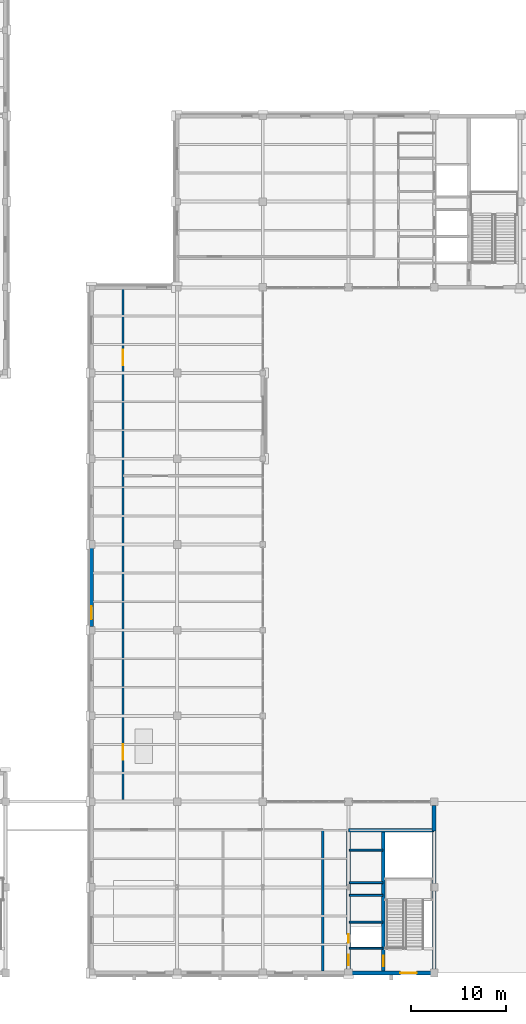
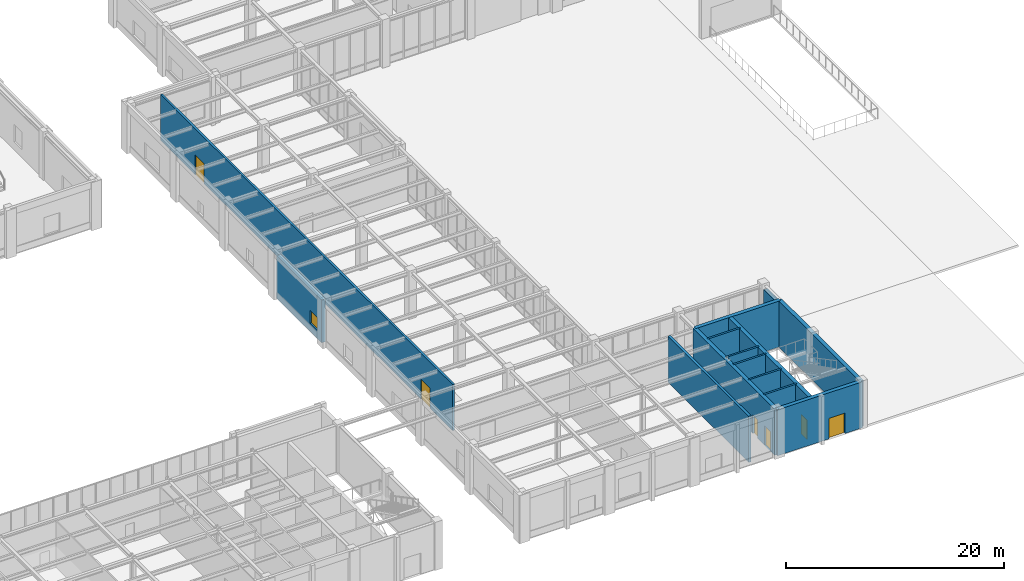
# One storey, part 65 of 77: 14 walls, 6 doors, 1 window, 7 openings.
"""IFC4 building model written with IfcOpenShell, lengths in metres."""

from ifc_helpers import new_model, si_unit, direction, frame, frame_2d, origin, place, context, subcontext, project, spatial, rectangle, extrude, material, layer, layer_set, type_object, element, fill, save


model = new_model("IFC4")

# Units and contexts
model_context = context("Model", 3, precision=1e-05, world=origin(), true_north=direction((0.0, 1.0)))
body_context = subcontext(model_context, "Body", "Model", "MODEL_VIEW")
ifc_project = project(units=[si_unit("LENGTHUNIT", "METRE"), si_unit("AREAUNIT", "SQUARE_METRE"), si_unit("VOLUMEUNIT", "CUBIC_METRE"), si_unit("PLANEANGLEUNIT", "RADIAN"), si_unit("MASSUNIT", "GRAM", prefix="KILO")], contexts=[model_context])

# Site, building, storey
site_placement = place(None, origin())
site = spatial("IfcSite", under=ifc_project, at=site_placement, CompositionType="ELEMENT")
building_placement = place(site_placement, origin())
building = spatial("IfcBuilding", under=site, at=building_placement, Name="Lykobir Media Centre", CompositionType="ELEMENT")
storey_placement = place(building_placement, origin())
storey = spatial("IfcBuildingStorey", under=building, at=storey_placement, Name="L00", CompositionType="ELEMENT", Elevation=0.0)

# Wall, opening, window
ifc_material_1 = material(Name="Honed Travertine Stone", Category="masonry")
ifc_layer_1 = layer(ifc_material_1, 0.419921875, Name="Honed Travertine Stone")
ifc_layer_set_1 = layer_set([ifc_layer_1], Name="Honed Travertine Stone")
wall_type_1 = type_object("IfcWallType", Name="EW-TRAV-420", PredefinedType="STANDARD", material=ifc_layer_set_1)
wall_1_placement = place(storey_placement, frame((90.0, 44.614990234375, 0.0), z_axis=(0.0, 0.0, 1.0), x_axis=(0.0, -1.0, 0.0)))
wall_1 = element("IfcWall", 1, at=wall_1_placement, inside=storey, type_object=wall_type_1, Name="Exterior wall WALL-L00-0081", PredefinedType="STANDARD", context=body_context, shape_type="SweptSolid", body=[
    extrude(rectangle(XDim=8.22998046875, YDim=0.419921875, at=frame_2d((4.114990234375, 0.0))), origin(), (0.0, 0.0, 1.0), 4.794921875),
])
opening_1_placement = place(wall_1_placement, frame((6.080078125, 0.0, 0.89990234375)))
opening_1 = element("IfcOpeningElement", 2, at=opening_1_placement, cuts=wall_1, Name="Opening WN-1400x1450", PredefinedType="OPENING", context=body_context, shape_type="SweptSolid", body=[
    extrude(rectangle(XDim=1.39990234375, YDim=1.449951171875, at=frame_2d((0.699951171875, 0.72509765625))), frame((0.0, 0.219970703125, 0.0), z_axis=(0.0, -1.0, 0.0), x_axis=(1.0, 0.0, 0.0)), (0.0, 0.0, 1.0), 0.43994140625),
])
ifc_material_2 = material(Name="Low-E Laminated Triple Glazing", Category="glass")
window_type = type_object("IfcWindowType", Name="WN-1400x1450", PartitioningType="SINGLE_PANEL", PredefinedType="WINDOW", material=ifc_material_2)
window_placement = place(opening_1_placement, origin())
window = element("IfcWindow", 3, at=window_placement, inside=storey, type_object=window_type, Name="Window WIN-L00-0009", OverallHeight=1.449951171875, OverallWidth=1.39990234375, PartitioningType="SINGLE_PANEL", PredefinedType="WINDOW", context=body_context, shape_type="SweptSolid", body=[
    extrude(rectangle(XDim=1.39990234375, YDim=1.449951171875, at=frame_2d((0.699951171875, 0.72509765625))), frame((0.0, 0.030029296875, 0.0), z_axis=(0.0, -1.0, 0.0), x_axis=(1.0, 0.0, 0.0)), (0.0, 0.0, 1.0), 0.06005859375),
])
fill(opening_1, window)

# Walls
wall_2_placement = place(storey_placement, frame((126.0, 14.925048828125, 0.0), z_axis=(0.0, 0.0, 1.0), x_axis=(0.0, 1.0, 0.0)))
element("IfcWall", 4, at=wall_2_placement, inside=storey, type_object=wall_type_1, Name="Exterior wall WALL-L00-0090", PredefinedType="STANDARD", context=body_context, shape_type="SweptSolid", body=[
    extrude(rectangle(XDim=2.68994140625, YDim=0.419921875, at=frame_2d((1.344970703125, 0.0))), origin(), (0.0, 0.0, 1.0), 4.7548828125),
])
ifc_material_3 = material(Name="Concrete C30/37", Category="concrete")
ifc_layer_2 = layer(ifc_material_3, 0.199951171875, Name="Concrete C30/37")
ifc_layer_set_2 = layer_set([ifc_layer_2], Name="Concrete C30/37")
wall_type_2 = type_object("IfcWallType", Name="IW-SHAFT-200", PredefinedType="PARTITIONING", material=ifc_layer_set_2)
for number, where, z_axis, x_axis, name in (
    (5, (117.10009765625, 2.60009765625, 0.0), (0.0, 0.0, 1.0), (1.0, 0.0, 0.0), "Wall IWALL-L00-0589"),
    (6, (117.10009765625, 5.35009765625, 0.0), (0.0, 0.0, 1.0), (1.0, 0.0, 0.0), "Wall IWALL-L00-0590"),
    (7, (117.10009765625, 8.14990234375, 0.0), (0.0, 0.0, 1.0), (1.0, 0.0, 0.0), "Wall IWALL-L00-0591"),
    (8, (117.10009765625, 9.5, 0.0), (0.0, 0.0, 1.0), (1.0, 0.0, 0.0), "Wall IWALL-L00-0592"),
    (9, (117.10009765625, 12.89990234375, 0.0), (0.0, 0.0, 1.0), (1.0, 0.0, 0.0), "Wall IWALL-L00-0593"),
):
    element("IfcWall", number, at=place(storey_placement, frame(where, z_axis=z_axis, x_axis=x_axis)), inside=storey, type_object=wall_type_2, Name=name, PredefinedType="PARTITIONING", context=body_context, shape_type="SweptSolid", body=[
        extrude(rectangle(XDim=3.5, YDim=0.199951171875, at=frame_2d((1.75, 0.0))), origin(), (0.0, 0.0, 1.0), 5.159912109375),
    ])

# Wall, openings, doors
ifc_material_4 = material(Name="Acoustic Gypsum Board", Category="gypsum")
ifc_layer_3 = layer(ifc_material_4, 0.219970703125, Name="Acoustic Gypsum Board")
ifc_layer_set_3 = layer_set([ifc_layer_3], Name="Acoustic Gypsum Board")
wall_type_3 = type_object("IfcWallType", Name="IW-STU-220", PredefinedType="PARTITIONING", material=ifc_layer_set_3)
wall_3_placement = place(storey_placement, frame((93.300048828125, 18.199951171875, 0.0), z_axis=(0.0, 0.0, 1.0), x_axis=(0.0, 1.0, 0.0)))
wall_3 = element("IfcWall", 10, at=wall_3_placement, inside=storey, type_object=wall_type_3, Name="Wall IWALL-L00-0669", PredefinedType="PARTITIONING", context=body_context, shape_type="SweptSolid", body=[
    extrude(rectangle(XDim=53.60009765625, YDim=0.219970703125, at=frame_2d((26.800048828125, 0.0))), origin(), (0.0, 0.0, 1.0), 5.159912109375),
])
opening_2_placement = place(wall_3_placement, frame((4.199951171875, 0.0, 0.0)))
opening_2 = element("IfcOpeningElement", 11, at=opening_2_placement, cuts=wall_3, Name="Opening D-L00-EP1", PredefinedType="OPENING", context=body_context, shape_type="SweptSolid", body=[
    extrude(rectangle(XDim=1.64990234375, YDim=2.25, at=frame_2d((0.824951171875, 1.125))), frame((0.0, 0.119873046875, 0.0), z_axis=(0.0, -1.0, 0.0), x_axis=(1.0, 0.0, 0.0)), (0.0, 0.0, 1.0), 0.239990234375),
])
opening_3_placement = place(wall_3_placement, frame((45.60009765625, 0.0, 0.0)))
opening_3 = element("IfcOpeningElement", 12, at=opening_3_placement, cuts=wall_3, Name="Opening D-L00-EP2", PredefinedType="OPENING", context=body_context, shape_type="SweptSolid", body=[
    extrude(rectangle(XDim=1.64990234375, YDim=2.25, at=frame_2d((0.824951171875, 1.125))), frame((0.0, 0.119873046875, 0.0), z_axis=(0.0, -1.0, 0.0), x_axis=(1.0, 0.0, 0.0)), (0.0, 0.0, 1.0), 0.239990234375),
])
ifc_material_5 = material(Name="Acoustic Timber Panelling", Category="wood")
door_type_1 = type_object("IfcDoorType", Name="FD-1650x2250", OperationType="NOTDEFINED", PredefinedType="DOOR", material=ifc_material_5)
door_1_placement = place(opening_2_placement, origin())
door_1 = element("IfcDoor", 13, at=door_1_placement, inside=storey, type_object=door_type_1, Name="Door D-L00-EP1", OperationType="DOUBLE_DOOR_SINGLE_SWING", OverallHeight=2.25, OverallWidth=1.64990234375, PredefinedType="DOOR", context=body_context, shape_type="SweptSolid", body=[
    extrude(rectangle(XDim=1.64990234375, YDim=2.25, at=frame_2d((0.824951171875, 1.125))), frame((0.0, 0.02490234375, 0.0), z_axis=(0.0, -1.0, 0.0), x_axis=(1.0, 0.0, 0.0)), (0.0, 0.0, 1.0), 0.050048828125),
])
fill(opening_2, door_1)
door_2_placement = place(opening_3_placement, origin())
door_2 = element("IfcDoor", 14, at=door_2_placement, inside=storey, type_object=door_type_1, Name="Door D-L00-EP2", OperationType="DOUBLE_DOOR_SINGLE_SWING", OverallHeight=2.25, OverallWidth=1.64990234375, PredefinedType="DOOR", context=body_context, shape_type="SweptSolid", body=[
    extrude(rectangle(XDim=1.64990234375, YDim=2.25, at=frame_2d((0.824951171875, 1.125))), frame((0.0, 0.02490234375, 0.0), z_axis=(0.0, -1.0, 0.0), x_axis=(1.0, 0.0, 0.0)), (0.0, 0.0, 1.0), 0.050048828125),
])
fill(opening_3, door_2)

# Wall
ifc_layer_4 = layer(ifc_material_4, 0.260009765625, Name="Acoustic Gypsum Board")
ifc_layer_set_4 = layer_set([ifc_layer_4], Name="Acoustic Gypsum Board")
wall_type_4 = type_object("IfcWallType", Name="IW-STU-260", PredefinedType="PARTITIONING", material=ifc_layer_set_4)
wall_4_placement = place(storey_placement, frame((114.300048828125, 0.219970703125, 0.0), z_axis=(0.0, 0.0, 1.0), x_axis=(0.0, 1.0, 0.0)))
element("IfcWall", 15, at=wall_4_placement, inside=storey, type_object=wall_type_4, Name="Wall IWALL-L00-0668", PredefinedType="PARTITIONING", context=body_context, shape_type="SweptSolid", body=[
    extrude(rectangle(XDim=14.830078125, YDim=0.260009765625, at=frame_2d((7.4150390625, 0.0))), origin(), (0.0, 0.0, 1.0), 5.159912109375),
])

# Wall, openings, doors
ifc_material_6 = material(Name="Concrete C40/50", Category="concrete")
ifc_layer_5 = layer(ifc_material_6, 0.39990234375, Name="Concrete C40/50")
ifc_layer_set_5 = layer_set([ifc_layer_5], Name="Concrete C40/50")
wall_type_5 = type_object("IfcWallType", Name="SW-CORE-400", PredefinedType="SHEAR", material=ifc_layer_set_5)
wall_5_placement = place(storey_placement, frame((117.0, 15.0, 0.0), z_axis=(0.0, 0.0, 1.0), x_axis=(0.0, -1.0, 0.0)))
wall_5 = element("IfcWall", 16, at=wall_5_placement, inside=storey, type_object=wall_type_5, Name="Wall IWALL-L00-0587", PredefinedType="SHEAR", context=body_context, shape_type="SweptSolid", body=[
    extrude(rectangle(XDim=15.0, YDim=0.39990234375, at=frame_2d((7.5, 0.0))), origin(), (0.0, 0.0, 1.0), 5.159912109375),
])
opening_4_placement = place(wall_5_placement, frame((13.10009765625, 0.0, 0.0)))
opening_4 = element("IfcOpeningElement", 17, at=opening_4_placement, cuts=wall_5, Name="Opening D-L00-C5VB", PredefinedType="OPENING", context=body_context, shape_type="SweptSolid", body=[
    extrude(rectangle(XDim=1.10009765625, YDim=2.159912109375, at=frame_2d((0.550048828125, 1.080078125))), frame((0.0, 0.2099609375, 0.0), z_axis=(0.0, -1.0, 0.0), x_axis=(1.0, 0.0, 0.0)), (0.0, 0.0, 1.0), 0.419921875),
])
opening_5_placement = place(wall_5_placement, frame((10.949951171875, 0.0, 0.0)))
opening_5 = element("IfcOpeningElement", 18, at=opening_5_placement, cuts=wall_5, Name="Opening D-L00-C5RS", PredefinedType="OPENING", context=body_context, shape_type="SweptSolid", body=[
    extrude(rectangle(XDim=0.85009765625, YDim=2.10009765625, at=frame_2d((0.425048828125, 1.050048828125))), frame((0.0, 0.2099609375, 0.0), z_axis=(0.0, -1.0, 0.0), x_axis=(1.0, 0.0, 0.0)), (0.0, 0.0, 1.0), 0.419921875),
])
ifc_material_7 = material(Name="Anodized Aluminium AW-6060", Category="aluminium")
door_type_2 = type_object("IfcDoorType", Name="FD-0850x2100", OperationType="NOTDEFINED", PredefinedType="DOOR", material=ifc_material_7)
door_3_placement = place(opening_5_placement, origin())
door_3 = element("IfcDoor", 19, at=door_3_placement, inside=storey, type_object=door_type_2, Name="Riser access door C5 L00", OperationType="SINGLE_SWING_RIGHT", OverallHeight=2.10009765625, OverallWidth=0.85009765625, PredefinedType="DOOR", context=body_context, shape_type="SweptSolid", body=[
    extrude(rectangle(XDim=0.85009765625, YDim=2.10009765625, at=frame_2d((0.425048828125, 1.050048828125))), frame((0.0, 0.02490234375, 0.0), z_axis=(0.0, -1.0, 0.0), x_axis=(1.0, 0.0, 0.0)), (0.0, 0.0, 1.0), 0.050048828125),
])
fill(opening_5, door_3)
door_type_3 = type_object("IfcDoorType", Name="FD-1100x2160", OperationType="NOTDEFINED", PredefinedType="DOOR", material=ifc_material_5)
door_4_placement = place(opening_4_placement, origin())
door_4 = element("IfcDoor", 20, at=door_4_placement, inside=storey, type_object=door_type_3, Name="Door D-L00-C5VB", OperationType="SINGLE_SWING_LEFT", OverallHeight=2.159912109375, OverallWidth=1.10009765625, PredefinedType="DOOR", context=body_context, shape_type="SweptSolid", body=[
    extrude(rectangle(XDim=1.10009765625, YDim=2.159912109375, at=frame_2d((0.550048828125, 1.080078125))), frame((0.0, 0.02490234375, 0.0), z_axis=(0.0, -1.0, 0.0), x_axis=(1.0, 0.0, 0.0)), (0.0, 0.0, 1.0), 0.050048828125),
])
fill(opening_4, door_4)

# Wall, opening, door
wall_6_placement = place(storey_placement, frame((120.64990234375, 0.0, 0.0), z_axis=(0.0, 0.0, 1.0), x_axis=(0.0, 1.0, 0.0)))
wall_6 = element("IfcWall", 21, at=wall_6_placement, inside=storey, type_object=wall_type_5, Name="Wall IWALL-L00-0588", PredefinedType="SHEAR", context=body_context, shape_type="SweptSolid", body=[
    extrude(rectangle(XDim=15.0, YDim=0.39990234375, at=frame_2d((7.5, 0.0))), origin(), (0.0, 0.0, 1.0), 5.159912109375),
])
opening_6_placement = place(wall_6_placement, frame((0.699951171875, 0.0, 0.0)))
opening_6 = element("IfcOpeningElement", 22, at=opening_6_placement, cuts=wall_6, Name="Opening D-L00-C5ST", PredefinedType="OPENING", context=body_context, shape_type="SweptSolid", body=[
    extrude(rectangle(XDim=1.10009765625, YDim=2.159912109375, at=frame_2d((0.550048828125, 1.080078125))), frame((0.0, 0.2099609375, 0.0), z_axis=(0.0, -1.0, 0.0), x_axis=(1.0, 0.0, 0.0)), (0.0, 0.0, 1.0), 0.419921875),
])
door_5_placement = place(opening_6_placement, origin())
door_5 = element("IfcDoor", 23, at=door_5_placement, inside=storey, type_object=door_type_3, Name="L00 ST-5 stairwell fire door", OperationType="SINGLE_SWING_RIGHT", OverallHeight=2.159912109375, OverallWidth=1.10009765625, PredefinedType="DOOR", context=body_context, shape_type="SweptSolid", body=[
    extrude(rectangle(XDim=1.10009765625, YDim=2.159912109375, at=frame_2d((0.550048828125, 1.080078125))), frame((0.0, 0.02490234375, 0.0), z_axis=(0.0, -1.0, 0.0), x_axis=(1.0, 0.0, 0.0)), (0.0, 0.0, 1.0), 0.050048828125),
])
fill(opening_6, door_5)

ifc_layer_6 = layer(ifc_material_6, 0.39990234375, Name="Concrete C40/50")
ifc_layer_set_6 = layer_set([ifc_layer_6], Name="Concrete C40/50")
wall_type_6 = type_object("IfcWallType", Name="SW-CORE-400-E", PredefinedType="SHEAR", material=ifc_layer_set_6)
wall_7_placement = place(storey_placement, frame((117.0, 0.0, 0.0), z_axis=(0.0, 0.0, 1.0), x_axis=(1.0, 0.0, 0.0)))
wall_7 = element("IfcWall", 24, at=wall_7_placement, inside=storey, type_object=wall_type_6, Name="Wall IWALL-L00-0584", PredefinedType="SHEAR", context=body_context, shape_type="SweptSolid", body=[
    extrude(rectangle(XDim=9.0, YDim=0.39990234375, at=frame_2d((4.5, 0.0))), origin(), (0.0, 0.0, 1.0), 5.159912109375),
])
opening_7_placement = place(wall_7_placement, frame((5.449951171875, 0.0, 0.0)))
opening_7 = element("IfcOpeningElement", 25, at=opening_7_placement, cuts=wall_7, Name="Opening D-L00-SD5", PredefinedType="OPENING", context=body_context, shape_type="SweptSolid", body=[
    extrude(rectangle(XDim=1.699951171875, YDim=2.300048828125, at=frame_2d((0.85009765625, 1.14990234375))), frame((0.0, 0.2099609375, 0.0), z_axis=(0.0, -1.0, 0.0), x_axis=(1.0, 0.0, 0.0)), (0.0, 0.0, 1.0), 0.419921875),
])
door_type_4 = type_object("IfcDoorType", Name="SD-1700x2300", OperationType="NOTDEFINED", PredefinedType="DOOR", material=ifc_material_7)
door_6_placement = place(opening_7_placement, frame((1.699951171875, 0.0, 0.0), z_axis=(0.0, 0.0, 1.0), x_axis=(-1.0, 0.0, 0.0)))
door_6 = element("IfcDoor", 26, at=door_6_placement, inside=storey, type_object=door_type_4, Name="Stair ST-5 exterior exit discharge door", OperationType="DOUBLE_DOOR_SINGLE_SWING", OverallHeight=2.300048828125, OverallWidth=1.699951171875, PredefinedType="DOOR", context=body_context, shape_type="SweptSolid", body=[
    extrude(rectangle(XDim=1.699951171875, YDim=2.300048828125, at=frame_2d((0.85009765625, 1.14990234375))), frame((0.0, 0.02490234375, 0.0), z_axis=(0.0, -1.0, 0.0), x_axis=(1.0, 0.0, 0.0)), (0.0, 0.0, 1.0), 0.050048828125),
])
fill(opening_7, door_6)

# Walls
wall_8_placement = place(storey_placement, frame((126.0, 0.0, 0.0), z_axis=(0.0, 0.0, 1.0), x_axis=(0.0, 1.0, 0.0)))
element("IfcWall", 27, at=wall_8_placement, inside=storey, type_object=wall_type_6, Name="Wall IWALL-L00-0585", PredefinedType="SHEAR", context=body_context, shape_type="SweptSolid", body=[
    extrude(rectangle(XDim=15.0, YDim=0.39990234375, at=frame_2d((7.5, 0.0))), origin(), (0.0, 0.0, 1.0), 5.159912109375),
])
wall_9_placement = place(storey_placement, frame((126.0, 15.0, 0.0), z_axis=(0.0, 0.0, 1.0), x_axis=(-1.0, 0.0, 0.0)))
element("IfcWall", 28, at=wall_9_placement, inside=storey, type_object=wall_type_6, Name="Wall IWALL-L00-0586", PredefinedType="SHEAR", context=body_context, shape_type="SweptSolid", body=[
    extrude(rectangle(XDim=9.0, YDim=0.39990234375, at=frame_2d((4.5, 0.0))), origin(), (0.0, 0.0, 1.0), 5.159912109375),
])

save(model, "model.ifc")
